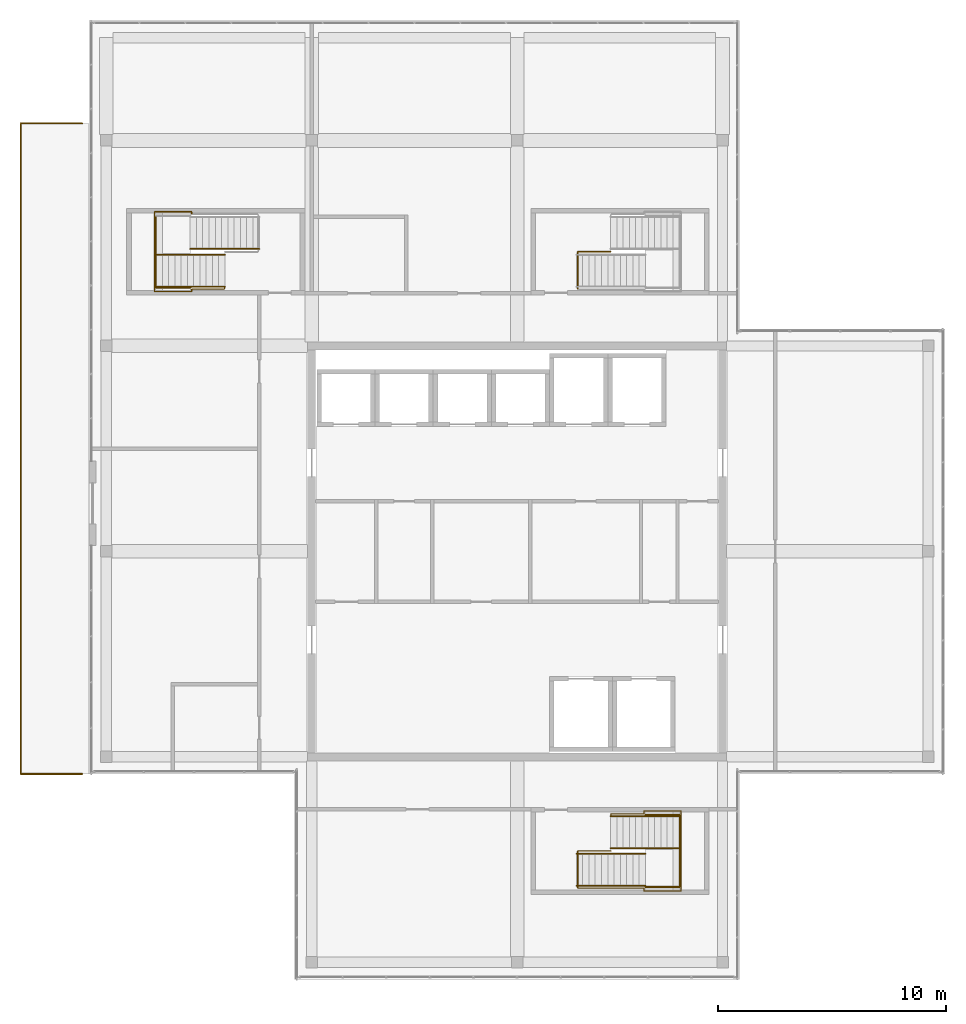
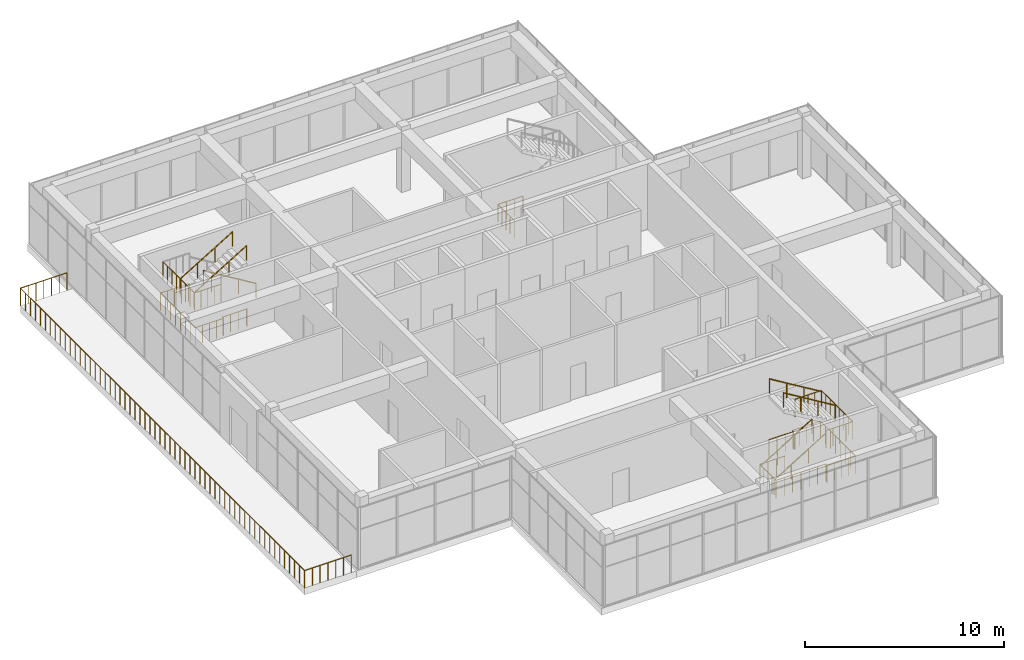
# One storey, part 33 of 34: 18 railings.
"""IFC4 building model written with IfcOpenShell, lengths in metres."""

from ifc_helpers import new_model, si_unit, direction, frame, origin, origin_2d, place, context, subcontext, project, spatial, circle, extrude, material, type_object, element, save


model = new_model("IFC4")

# Units and contexts
model_context = context("Model", 3, precision=1e-05, world=origin(), true_north=direction((0.0, 1.0)))
body_context = subcontext(model_context, "Body", "Model", "MODEL_VIEW")
ifc_project = project(units=[si_unit("LENGTHUNIT", "METRE"), si_unit("AREAUNIT", "SQUARE_METRE"), si_unit("VOLUMEUNIT", "CUBIC_METRE"), si_unit("PLANEANGLEUNIT", "RADIAN"), si_unit("MASSUNIT", "GRAM", prefix="KILO")], contexts=[model_context])

# Site, building, storey
site_placement = place(None, origin())
site = spatial("IfcSite", under=ifc_project, at=site_placement, CompositionType="ELEMENT")
building_placement = place(site_placement, origin())
building = spatial("IfcBuilding", under=site, at=building_placement, Name="Tuart Plaza Theatre", CompositionType="ELEMENT")
storey_placement = place(building_placement, frame((0.0, 0.0, 53.5)))
storey = spatial("IfcBuildingStorey", under=building, at=storey_placement, Name="L13", CompositionType="ELEMENT", Elevation=53.5)

# Railings
ifc_material_1 = material(Name="Steel Grade C350L0", Category="steel")
railing_type_1 = type_object("IfcRailingType", Name="RAILING Guard 1100", PredefinedType="GUARDRAIL", material=ifc_material_1)
railing_1_placement = place(storey_placement, frame((110.25, 64.25, 0.0)))
element("IfcRailing", 1, at=railing_1_placement, inside=storey, type_object=railing_type_1, Name="GR192", PredefinedType="GUARDRAIL", context=body_context, shape_type="SweptSolid", body=[
    extrude(circle(Radius=0.02490234375, at=origin_2d()), frame((0.0, 0.0, 1.0751953125), z_axis=(0.0, 1.0, 0.0), x_axis=(-1.0, 0.0, 0.0)), (0.0, 0.0, 1.0), 28.5),
    extrude(circle(Radius=0.02490234375, at=origin_2d()), frame((0.0, 28.5, 1.0751953125), z_axis=(1.0, 0.0, 0.0), x_axis=(0.0, 1.0, 0.0)), (0.0, 0.0, 1.0), 2.699951171875),
    extrude(circle(Radius=0.02001953125, at=origin_2d()), origin(), (0.0, 0.0, 1.0), 1.050048828125),
    extrude(circle(Radius=0.02001953125, at=origin_2d()), frame((0.0, 0.5, 0.0)), (0.0, 0.0, 1.0), 1.050048828125),
    extrude(circle(Radius=0.02001953125, at=origin_2d()), frame((0.0, 1.0, 0.0)), (0.0, 0.0, 1.0), 1.050048828125),
    extrude(circle(Radius=0.02001953125, at=origin_2d()), frame((0.0, 1.5, 0.0)), (0.0, 0.0, 1.0), 1.050048828125),
    extrude(circle(Radius=0.02001953125, at=origin_2d()), frame((0.0, 2.0, 0.0)), (0.0, 0.0, 1.0), 1.050048828125),
    extrude(circle(Radius=0.02001953125, at=origin_2d()), frame((0.0, 2.5, 0.0)), (0.0, 0.0, 1.0), 1.050048828125),
    extrude(circle(Radius=0.02001953125, at=origin_2d()), frame((0.0, 3.0, 0.0)), (0.0, 0.0, 1.0), 1.050048828125),
    extrude(circle(Radius=0.02001953125, at=origin_2d()), frame((0.0, 3.5, 0.0)), (0.0, 0.0, 1.0), 1.050048828125),
    extrude(circle(Radius=0.02001953125, at=origin_2d()), frame((0.0, 4.0, 0.0)), (0.0, 0.0, 1.0), 1.050048828125),
    extrude(circle(Radius=0.02001953125, at=origin_2d()), frame((0.0, 4.5, 0.0)), (0.0, 0.0, 1.0), 1.050048828125),
    extrude(circle(Radius=0.02001953125, at=origin_2d()), frame((0.0, 5.0, 0.0)), (0.0, 0.0, 1.0), 1.050048828125),
    extrude(circle(Radius=0.02001953125, at=origin_2d()), frame((0.0, 5.5, 0.0)), (0.0, 0.0, 1.0), 1.050048828125),
    extrude(circle(Radius=0.02001953125, at=origin_2d()), frame((0.0, 6.0, 0.0)), (0.0, 0.0, 1.0), 1.050048828125),
    extrude(circle(Radius=0.02001953125, at=origin_2d()), frame((0.0, 6.5, 0.0)), (0.0, 0.0, 1.0), 1.050048828125),
    extrude(circle(Radius=0.02001953125, at=origin_2d()), frame((0.0, 7.0, 0.0)), (0.0, 0.0, 1.0), 1.050048828125),
    extrude(circle(Radius=0.02001953125, at=origin_2d()), frame((0.0, 7.5, 0.0)), (0.0, 0.0, 1.0), 1.050048828125),
    extrude(circle(Radius=0.02001953125, at=origin_2d()), frame((0.0, 8.0, 0.0)), (0.0, 0.0, 1.0), 1.050048828125),
    extrude(circle(Radius=0.02001953125, at=origin_2d()), frame((0.0, 8.5, 0.0)), (0.0, 0.0, 1.0), 1.050048828125),
    extrude(circle(Radius=0.02001953125, at=origin_2d()), frame((0.0, 9.0, 0.0)), (0.0, 0.0, 1.0), 1.050048828125),
    extrude(circle(Radius=0.02001953125, at=origin_2d()), frame((0.0, 9.5, 0.0)), (0.0, 0.0, 1.0), 1.050048828125),
    extrude(circle(Radius=0.02001953125, at=origin_2d()), frame((0.0, 10.0, 0.0)), (0.0, 0.0, 1.0), 1.050048828125),
    extrude(circle(Radius=0.02001953125, at=origin_2d()), frame((0.0, 10.5, 0.0)), (0.0, 0.0, 1.0), 1.050048828125),
    extrude(circle(Radius=0.02001953125, at=origin_2d()), frame((0.0, 11.0, 0.0)), (0.0, 0.0, 1.0), 1.050048828125),
    extrude(circle(Radius=0.02001953125, at=origin_2d()), frame((0.0, 11.5, 0.0)), (0.0, 0.0, 1.0), 1.050048828125),
    extrude(circle(Radius=0.02001953125, at=origin_2d()), frame((0.0, 12.0, 0.0)), (0.0, 0.0, 1.0), 1.050048828125),
    extrude(circle(Radius=0.02001953125, at=origin_2d()), frame((0.0, 12.5, 0.0)), (0.0, 0.0, 1.0), 1.050048828125),
    extrude(circle(Radius=0.02001953125, at=origin_2d()), frame((0.0, 13.0, 0.0)), (0.0, 0.0, 1.0), 1.050048828125),
    extrude(circle(Radius=0.02001953125, at=origin_2d()), frame((0.0, 13.5, 0.0)), (0.0, 0.0, 1.0), 1.050048828125),
    extrude(circle(Radius=0.02001953125, at=origin_2d()), frame((0.0, 14.0, 0.0)), (0.0, 0.0, 1.0), 1.050048828125),
    extrude(circle(Radius=0.02001953125, at=origin_2d()), frame((0.0, 14.5, 0.0)), (0.0, 0.0, 1.0), 1.050048828125),
    extrude(circle(Radius=0.02001953125, at=origin_2d()), frame((0.0, 15.0, 0.0)), (0.0, 0.0, 1.0), 1.050048828125),
    extrude(circle(Radius=0.02001953125, at=origin_2d()), frame((0.0, 15.5, 0.0)), (0.0, 0.0, 1.0), 1.050048828125),
    extrude(circle(Radius=0.02001953125, at=origin_2d()), frame((0.0, 16.0, 0.0)), (0.0, 0.0, 1.0), 1.050048828125),
    extrude(circle(Radius=0.02001953125, at=origin_2d()), frame((0.0, 16.5, 0.0)), (0.0, 0.0, 1.0), 1.050048828125),
    extrude(circle(Radius=0.02001953125, at=origin_2d()), frame((0.0, 17.0, 0.0)), (0.0, 0.0, 1.0), 1.050048828125),
    extrude(circle(Radius=0.02001953125, at=origin_2d()), frame((0.0, 17.5, 0.0)), (0.0, 0.0, 1.0), 1.050048828125),
    extrude(circle(Radius=0.02001953125, at=origin_2d()), frame((0.0, 18.0, 0.0)), (0.0, 0.0, 1.0), 1.050048828125),
    extrude(circle(Radius=0.02001953125, at=origin_2d()), frame((0.0, 18.5, 0.0)), (0.0, 0.0, 1.0), 1.050048828125),
    extrude(circle(Radius=0.02001953125, at=origin_2d()), frame((0.0, 19.0, 0.0)), (0.0, 0.0, 1.0), 1.050048828125),
    extrude(circle(Radius=0.02001953125, at=origin_2d()), frame((0.0, 19.5, 0.0)), (0.0, 0.0, 1.0), 1.050048828125),
    extrude(circle(Radius=0.02001953125, at=origin_2d()), frame((0.0, 20.0, 0.0)), (0.0, 0.0, 1.0), 1.050048828125),
    extrude(circle(Radius=0.02001953125, at=origin_2d()), frame((0.0, 20.5, 0.0)), (0.0, 0.0, 1.0), 1.050048828125),
    extrude(circle(Radius=0.02001953125, at=origin_2d()), frame((0.0, 21.0, 0.0)), (0.0, 0.0, 1.0), 1.050048828125),
    extrude(circle(Radius=0.02001953125, at=origin_2d()), frame((0.0, 21.5, 0.0)), (0.0, 0.0, 1.0), 1.050048828125),
    extrude(circle(Radius=0.02001953125, at=origin_2d()), frame((0.0, 22.0, 0.0)), (0.0, 0.0, 1.0), 1.050048828125),
    extrude(circle(Radius=0.02001953125, at=origin_2d()), frame((0.0, 22.5, 0.0)), (0.0, 0.0, 1.0), 1.050048828125),
    extrude(circle(Radius=0.02001953125, at=origin_2d()), frame((0.0, 23.0, 0.0)), (0.0, 0.0, 1.0), 1.050048828125),
    extrude(circle(Radius=0.02001953125, at=origin_2d()), frame((0.0, 23.5, 0.0)), (0.0, 0.0, 1.0), 1.050048828125),
    extrude(circle(Radius=0.02001953125, at=origin_2d()), frame((0.0, 24.0, 0.0)), (0.0, 0.0, 1.0), 1.050048828125),
    extrude(circle(Radius=0.02001953125, at=origin_2d()), frame((0.0, 24.5, 0.0)), (0.0, 0.0, 1.0), 1.050048828125),
    extrude(circle(Radius=0.02001953125, at=origin_2d()), frame((0.0, 25.0, 0.0)), (0.0, 0.0, 1.0), 1.050048828125),
    extrude(circle(Radius=0.02001953125, at=origin_2d()), frame((0.0, 25.5, 0.0)), (0.0, 0.0, 1.0), 1.050048828125),
    extrude(circle(Radius=0.02001953125, at=origin_2d()), frame((0.0, 26.0, 0.0)), (0.0, 0.0, 1.0), 1.050048828125),
    extrude(circle(Radius=0.02001953125, at=origin_2d()), frame((0.0, 26.5, 0.0)), (0.0, 0.0, 1.0), 1.050048828125),
    extrude(circle(Radius=0.02001953125, at=origin_2d()), frame((0.0, 27.0, 0.0)), (0.0, 0.0, 1.0), 1.050048828125),
    extrude(circle(Radius=0.02001953125, at=origin_2d()), frame((0.0, 27.5, 0.0)), (0.0, 0.0, 1.0), 1.050048828125),
    extrude(circle(Radius=0.02001953125, at=origin_2d()), frame((0.0, 28.0, 0.0)), (0.0, 0.0, 1.0), 1.050048828125),
    extrude(circle(Radius=0.02001953125, at=origin_2d()), frame((0.0, 28.5, 0.0)), (0.0, 0.0, 1.0), 1.050048828125),
    extrude(circle(Radius=0.02001953125, at=origin_2d()), frame((0.449951171875, 28.5, 0.0)), (0.0, 0.0, 1.0), 1.050048828125),
    extrude(circle(Radius=0.02001953125, at=origin_2d()), frame((0.89990234375, 28.5, 0.0)), (0.0, 0.0, 1.0), 1.050048828125),
    extrude(circle(Radius=0.02001953125, at=origin_2d()), frame((1.35009765625, 28.5, 0.0)), (0.0, 0.0, 1.0), 1.050048828125),
    extrude(circle(Radius=0.02001953125, at=origin_2d()), frame((1.800048828125, 28.5, 0.0)), (0.0, 0.0, 1.0), 1.050048828125),
    extrude(circle(Radius=0.02001953125, at=origin_2d()), frame((2.25, 28.5, 0.0)), (0.0, 0.0, 1.0), 1.050048828125),
    extrude(circle(Radius=0.02001953125, at=origin_2d()), frame((2.699951171875, 28.5, 0.0)), (0.0, 0.0, 1.0), 1.050048828125),
])
railing_2_placement = place(storey_placement, frame((112.949951171875, 64.25, 0.0)))
element("IfcRailing", 2, at=railing_2_placement, inside=storey, type_object=railing_type_1, Name="GR193", PredefinedType="GUARDRAIL", context=body_context, shape_type="SweptSolid", body=[
    extrude(circle(Radius=0.02490234375, at=origin_2d()), frame((0.0, 0.0, 1.0751953125), z_axis=(-1.0, 0.0, 0.0), x_axis=(0.0, -1.0, 0.0)), (0.0, 0.0, 1.0), 2.699951171875),
    extrude(circle(Radius=0.02001953125, at=origin_2d()), origin(), (0.0, 0.0, 1.0), 1.050048828125),
    extrude(circle(Radius=0.02001953125, at=origin_2d()), frame((-0.449951171875, 0.0, 0.0)), (0.0, 0.0, 1.0), 1.050048828125),
    extrude(circle(Radius=0.02001953125, at=origin_2d()), frame((-0.89990234375, 0.0, 0.0)), (0.0, 0.0, 1.0), 1.050048828125),
    extrude(circle(Radius=0.02001953125, at=origin_2d()), frame((-1.35009765625, 0.0, 0.0)), (0.0, 0.0, 1.0), 1.050048828125),
    extrude(circle(Radius=0.02001953125, at=origin_2d()), frame((-1.800048828125, 0.0, 0.0)), (0.0, 0.0, 1.0), 1.050048828125),
    extrude(circle(Radius=0.02001953125, at=origin_2d()), frame((-2.25, 0.0, 0.0)), (0.0, 0.0, 1.0), 1.050048828125),
    extrude(circle(Radius=0.02001953125, at=origin_2d()), frame((-2.699951171875, 0.0, 0.0)), (0.0, 0.0, 1.0), 1.050048828125),
])
railing_3_placement = place(storey_placement, frame((134.655029296875, 59.25, 0.0)))
element("IfcRailing", 3, at=railing_3_placement, inside=storey, type_object=railing_type_1, Name="GR259", PredefinedType="GUARDRAIL", context=body_context, shape_type="SweptSolid", body=[
    extrude(circle(Radius=0.02490234375, at=origin_2d()), frame((0.0, 0.0, 1.0751953125), z_axis=(0.0, 1.0, 0.0), x_axis=(-1.0, 0.0, 0.0)), (0.0, 0.0, 1.0), 1.625),
    extrude(circle(Radius=0.02490234375, at=origin_2d()), frame((0.0, 1.625, 1.0751953125), z_axis=(1.0, 0.0, 0.0), x_axis=(0.0, 1.0, 0.0)), (0.0, 0.0, 1.0), 1.455078125),
    extrude(circle(Radius=0.02001953125, at=origin_2d()), origin(), (0.0, 0.0, 1.0), 1.050048828125),
    extrude(circle(Radius=0.02001953125, at=origin_2d()), frame((0.0, 0.40625, 0.0)), (0.0, 0.0, 1.0), 1.050048828125),
    extrude(circle(Radius=0.02001953125, at=origin_2d()), frame((0.0, 0.8125, 0.0)), (0.0, 0.0, 1.0), 1.050048828125),
    extrude(circle(Radius=0.02001953125, at=origin_2d()), frame((0.0, 1.21875, 0.0)), (0.0, 0.0, 1.0), 1.050048828125),
    extrude(circle(Radius=0.02001953125, at=origin_2d()), frame((0.0, 1.625, 0.0)), (0.0, 0.0, 1.0), 1.050048828125),
    extrude(circle(Radius=0.02001953125, at=origin_2d()), frame((0.485107421875, 1.625, 0.0)), (0.0, 0.0, 1.0), 1.050048828125),
    extrude(circle(Radius=0.02001953125, at=origin_2d()), frame((0.969970703125, 1.625, 0.0)), (0.0, 0.0, 1.0), 1.050048828125),
    extrude(circle(Radius=0.02001953125, at=origin_2d()), frame((1.455078125, 1.625, 0.0)), (0.0, 0.0, 1.0), 1.050048828125),
])
railing_4_placement = place(storey_placement, frame((136.114990234375, 62.455078125, 0.0)))
element("IfcRailing", 4, at=railing_4_placement, inside=storey, type_object=railing_type_1, Name="GR260", PredefinedType="GUARDRAIL", context=body_context, shape_type="SweptSolid", body=[
    extrude(circle(Radius=0.02490234375, at=origin_2d()), frame((0.0, 0.0, 1.0751953125), z_axis=(0.0, 1.0, 0.0), x_axis=(-1.0, 0.0, 0.0)), (0.0, 0.0, 1.0), 0.044921875),
    extrude(circle(Radius=0.02490234375, at=origin_2d()), frame((0.0, 0.044921875, 1.0751953125), z_axis=(1.0, 0.0, 0.0), x_axis=(0.0, 1.0, 0.0)), (0.0, 0.0, 1.0), 1.43505859375),
    extrude(circle(Radius=0.02490234375, at=origin_2d()), frame((1.43505859375, 0.044921875, 1.0751953125), z_axis=(0.0, 1.0, 0.0), x_axis=(-1.0, 0.0, 0.0)), (0.0, 0.0, 1.0), 0.123046875),
    extrude(circle(Radius=0.02490234375, at=origin_2d()), frame((1.43505859375, 0.16796875, 1.0751953125), z_axis=(1.0, 0.0, 0.0), x_axis=(0.0, 1.0, 0.0)), (0.0, 0.0, 1.0), 1.6298828125),
    extrude(circle(Radius=0.02490234375, at=origin_2d()), frame((3.06494140625, 0.16796875, 1.0751953125), z_axis=(0.0, -1.0, 0.0), x_axis=(1.0, 0.0, 0.0)), (0.0, 0.0, 1.0), 3.49609375),
    extrude(circle(Radius=0.02490234375, at=origin_2d()), frame((3.06494140625, -3.328125, 1.0751953125), z_axis=(-1.0, 0.0, 0.0), x_axis=(0.0, -1.0, 0.0)), (0.0, 0.0, 1.0), 1.6298828125),
    extrude(circle(Radius=0.02490234375, at=origin_2d()), frame((1.43505859375, -3.328125, 1.0751953125), z_axis=(0.0, 1.0, 0.0), x_axis=(-1.0, 0.0, 0.0)), (0.0, 0.0, 1.0), 0.123046875),
    extrude(circle(Radius=0.02490234375, at=origin_2d()), frame((1.43505859375, -3.205078125, 1.0751953125), z_axis=(-1.0, 0.0, 0.0), x_axis=(0.0, -1.0, 0.0)), (0.0, 0.0, 1.0), 2.89501953125),
    extrude(circle(Radius=0.02001953125, at=origin_2d()), origin(), (0.0, 0.0, 1.0), 1.050048828125),
    extrude(circle(Radius=0.02001953125, at=origin_2d()), frame((0.0, 0.044921875, 0.0)), (0.0, 0.0, 1.0), 1.050048828125),
    extrude(circle(Radius=0.02001953125, at=origin_2d()), frame((0.478271484375, 0.044921875, 0.0)), (0.0, 0.0, 1.0), 1.050048828125),
    extrude(circle(Radius=0.02001953125, at=origin_2d()), frame((0.956787109375, 0.044921875, 0.0)), (0.0, 0.0, 1.0), 1.050048828125),
    extrude(circle(Radius=0.02001953125, at=origin_2d()), frame((1.43505859375, 0.044921875, 0.0)), (0.0, 0.0, 1.0), 1.050048828125),
    extrude(circle(Radius=0.02001953125, at=origin_2d()), frame((1.43505859375, 0.16796875, 0.0)), (0.0, 0.0, 1.0), 1.050048828125),
    extrude(circle(Radius=0.02001953125, at=origin_2d()), frame((1.842529296875, 0.16796875, 0.0)), (0.0, 0.0, 1.0), 1.050048828125),
    extrude(circle(Radius=0.02001953125, at=origin_2d()), frame((2.25, 0.16796875, 0.0)), (0.0, 0.0, 1.0), 1.050048828125),
    extrude(circle(Radius=0.02001953125, at=origin_2d()), frame((2.657470703125, 0.16796875, 0.0)), (0.0, 0.0, 1.0), 1.050048828125),
    extrude(circle(Radius=0.02001953125, at=origin_2d()), frame((3.06494140625, 0.16796875, 0.0)), (0.0, 0.0, 1.0), 1.050048828125),
    extrude(circle(Radius=0.02001953125, at=origin_2d()), frame((3.06494140625, -0.33154296875, 0.0)), (0.0, 0.0, 1.0), 1.050048828125),
    extrude(circle(Radius=0.02001953125, at=origin_2d()), frame((3.06494140625, -0.830810546875, 0.0)), (0.0, 0.0, 1.0), 1.050048828125),
    extrude(circle(Radius=0.02001953125, at=origin_2d()), frame((3.06494140625, -1.330322265625, 0.0)), (0.0, 0.0, 1.0), 1.050048828125),
    extrude(circle(Radius=0.02001953125, at=origin_2d()), frame((3.06494140625, -1.829833984375, 0.0)), (0.0, 0.0, 1.0), 1.050048828125),
    extrude(circle(Radius=0.02001953125, at=origin_2d()), frame((3.06494140625, -2.329345703125, 0.0)), (0.0, 0.0, 1.0), 1.050048828125),
    extrude(circle(Radius=0.02001953125, at=origin_2d()), frame((3.06494140625, -2.82861328125, 0.0)), (0.0, 0.0, 1.0), 1.050048828125),
    extrude(circle(Radius=0.02001953125, at=origin_2d()), frame((3.06494140625, -3.328125, 0.0)), (0.0, 0.0, 1.0), 1.050048828125),
    extrude(circle(Radius=0.02001953125, at=origin_2d()), frame((2.657470703125, -3.328125, 0.0)), (0.0, 0.0, 1.0), 1.050048828125),
    extrude(circle(Radius=0.02001953125, at=origin_2d()), frame((2.25, -3.328125, 0.0)), (0.0, 0.0, 1.0), 1.050048828125),
    extrude(circle(Radius=0.02001953125, at=origin_2d()), frame((1.842529296875, -3.328125, 0.0)), (0.0, 0.0, 1.0), 1.050048828125),
    extrude(circle(Radius=0.02001953125, at=origin_2d()), frame((1.43505859375, -3.328125, 0.0)), (0.0, 0.0, 1.0), 1.050048828125),
    extrude(circle(Radius=0.02001953125, at=origin_2d()), frame((1.43505859375, -3.205078125, 0.0)), (0.0, 0.0, 1.0), 1.050048828125),
    extrude(circle(Radius=0.02001953125, at=origin_2d()), frame((0.95263671875, -3.205078125, 0.0)), (0.0, 0.0, 1.0), 1.050048828125),
    extrude(circle(Radius=0.02001953125, at=origin_2d()), frame((0.469970703125, -3.205078125, 0.0)), (0.0, 0.0, 1.0), 1.050048828125),
    extrude(circle(Radius=0.02001953125, at=origin_2d()), frame((-0.012451171875, -3.205078125, 0.0)), (0.0, 0.0, 1.0), 1.050048828125),
    extrude(circle(Radius=0.02001953125, at=origin_2d()), frame((-0.494873046875, -3.205078125, 0.0)), (0.0, 0.0, 1.0), 1.050048828125),
    extrude(circle(Radius=0.02001953125, at=origin_2d()), frame((-0.9775390625, -3.205078125, 0.0)), (0.0, 0.0, 1.0), 1.050048828125),
    extrude(circle(Radius=0.02001953125, at=origin_2d()), frame((-1.4599609375, -3.205078125, 0.0)), (0.0, 0.0, 1.0), 1.050048828125),
])
railing_5_placement = place(storey_placement, frame((137.60009765625, 59.300048828125, 2.0)))
element("IfcRailing", 5, at=railing_5_placement, inside=storey, type_object=railing_type_1, Name="GR266", PredefinedType="GUARDRAIL", context=body_context, shape_type="SweptSolid", body=[
    extrude(circle(Radius=0.02490234375, at=origin_2d()), frame((0.0, 0.0, 1.0751953125), z_axis=(1.0, 0.0, 0.0), x_axis=(0.0, 1.0, 0.0)), (0.0, 0.0, 1.0), 1.52978515625),
    extrude(circle(Radius=0.02001953125, at=origin_2d()), origin(), (0.0, 0.0, 1.0), 1.050048828125),
    extrude(circle(Radius=0.02001953125, at=origin_2d()), frame((0.38232421875, 0.0, 0.0)), (0.0, 0.0, 1.0), 1.050048828125),
    extrude(circle(Radius=0.02001953125, at=origin_2d()), frame((0.764892578125, 0.0, 0.0)), (0.0, 0.0, 1.0), 1.050048828125),
    extrude(circle(Radius=0.02001953125, at=origin_2d()), frame((1.1474609375, 0.0, 0.0)), (0.0, 0.0, 1.0), 1.050048828125),
    extrude(circle(Radius=0.02001953125, at=origin_2d()), frame((1.52978515625, 0.0, 0.0)), (0.0, 0.0, 1.0), 1.050048828125),
])
railing_6_placement = place(storey_placement, frame((139.1298828125, 59.300048828125, 2.0)))
element("IfcRailing", 6, at=railing_6_placement, inside=storey, type_object=railing_type_1, Name="GR267", PredefinedType="GUARDRAIL", context=body_context, shape_type="SweptSolid", body=[
    extrude(circle(Radius=0.02490234375, at=origin_2d()), frame((0.0, 0.0, 1.0751953125), z_axis=(0.0, 1.0, 0.0), x_axis=(-1.0, 0.0, 0.0)), (0.0, 0.0, 1.0), 3.14990234375),
    extrude(circle(Radius=0.02001953125, at=origin_2d()), origin(), (0.0, 0.0, 1.0), 1.050048828125),
    extrude(circle(Radius=0.02001953125, at=origin_2d()), frame((0.0, 0.449951171875, 0.0)), (0.0, 0.0, 1.0), 1.050048828125),
    extrude(circle(Radius=0.02001953125, at=origin_2d()), frame((0.0, 0.89990234375, 0.0)), (0.0, 0.0, 1.0), 1.050048828125),
    extrude(circle(Radius=0.02001953125, at=origin_2d()), frame((0.0, 1.349853515625, 0.0)), (0.0, 0.0, 1.0), 1.050048828125),
    extrude(circle(Radius=0.02001953125, at=origin_2d()), frame((0.0, 1.800048828125, 0.0)), (0.0, 0.0, 1.0), 1.050048828125),
    extrude(circle(Radius=0.02001953125, at=origin_2d()), frame((0.0, 2.25, 0.0)), (0.0, 0.0, 1.0), 1.050048828125),
    extrude(circle(Radius=0.02001953125, at=origin_2d()), frame((0.0, 2.699951171875, 0.0)), (0.0, 0.0, 1.0), 1.050048828125),
    extrude(circle(Radius=0.02001953125, at=origin_2d()), frame((0.0, 3.14990234375, 0.0)), (0.0, 0.0, 1.0), 1.050048828125),
])
railing_7_placement = place(storey_placement, frame((139.1298828125, 62.449951171875, 2.0)))
element("IfcRailing", 7, at=railing_7_placement, inside=storey, type_object=railing_type_1, Name="GR268", PredefinedType="GUARDRAIL", context=body_context, shape_type="SweptSolid", body=[
    extrude(circle(Radius=0.02490234375, at=origin_2d()), frame((0.0, 0.0, 1.0751953125), z_axis=(-1.0, 0.0, 0.0), x_axis=(0.0, -1.0, 0.0)), (0.0, 0.0, 1.0), 1.52978515625),
    extrude(circle(Radius=0.02001953125, at=origin_2d()), origin(), (0.0, 0.0, 1.0), 1.050048828125),
    extrude(circle(Radius=0.02001953125, at=origin_2d()), frame((-0.38232421875, 0.0, 0.0)), (0.0, 0.0, 1.0), 1.050048828125),
    extrude(circle(Radius=0.02001953125, at=origin_2d()), frame((-0.764892578125, 0.0, 0.0)), (0.0, 0.0, 1.0), 1.050048828125),
    extrude(circle(Radius=0.02001953125, at=origin_2d()), frame((-1.1474609375, 0.0, 0.0)), (0.0, 0.0, 1.0), 1.050048828125),
    extrude(circle(Radius=0.02001953125, at=origin_2d()), frame((-1.52978515625, 0.0, 0.0)), (0.0, 0.0, 1.0), 1.050048828125),
])
railing_8_placement = place(storey_placement, frame((134.655029296875, 85.5, 0.0)))
element("IfcRailing", 8, at=railing_8_placement, inside=storey, type_object=railing_type_1, Name="GR338", PredefinedType="GUARDRAIL", context=body_context, shape_type="SweptSolid", body=[
    extrude(circle(Radius=0.02490234375, at=origin_2d()), frame((0.0, 0.0, 1.0751953125), z_axis=(0.0, 1.0, 0.0), x_axis=(-1.0, 0.0, 0.0)), (0.0, 0.0, 1.0), 1.625),
    extrude(circle(Radius=0.02490234375, at=origin_2d()), frame((0.0, 1.625, 1.0751953125), z_axis=(1.0, 0.0, 0.0), x_axis=(0.0, 1.0, 0.0)), (0.0, 0.0, 1.0), 1.455078125),
    extrude(circle(Radius=0.02001953125, at=origin_2d()), origin(), (0.0, 0.0, 1.0), 1.050048828125),
    extrude(circle(Radius=0.02001953125, at=origin_2d()), frame((0.0, 0.40625, 0.0)), (0.0, 0.0, 1.0), 1.050048828125),
    extrude(circle(Radius=0.02001953125, at=origin_2d()), frame((0.0, 0.8125, 0.0)), (0.0, 0.0, 1.0), 1.050048828125),
    extrude(circle(Radius=0.02001953125, at=origin_2d()), frame((0.0, 1.21875, 0.0)), (0.0, 0.0, 1.0), 1.050048828125),
    extrude(circle(Radius=0.02001953125, at=origin_2d()), frame((0.0, 1.625, 0.0)), (0.0, 0.0, 1.0), 1.050048828125),
    extrude(circle(Radius=0.02001953125, at=origin_2d()), frame((0.485107421875, 1.625, 0.0)), (0.0, 0.0, 1.0), 1.050048828125),
    extrude(circle(Radius=0.02001953125, at=origin_2d()), frame((0.969970703125, 1.625, 0.0)), (0.0, 0.0, 1.0), 1.050048828125),
    extrude(circle(Radius=0.02001953125, at=origin_2d()), frame((1.455078125, 1.625, 0.0)), (0.0, 0.0, 1.0), 1.050048828125),
])
railing_9_placement = place(storey_placement, frame((119.18505859375, 85.544921875, 0.0)))
element("IfcRailing", 9, at=railing_9_placement, inside=storey, type_object=railing_type_1, Name="GR418", PredefinedType="GUARDRAIL", context=body_context, shape_type="SweptSolid", body=[
    extrude(circle(Radius=0.02490234375, at=origin_2d()), frame((0.0, 0.0, 1.0751953125), z_axis=(0.0, -1.0, 0.0), x_axis=(1.0, 0.0, 0.0)), (0.0, 0.0, 1.0), 0.044921875),
    extrude(circle(Radius=0.02490234375, at=origin_2d()), frame((0.0, -0.044921875, 1.0751953125), z_axis=(-1.0, 0.0, 0.0), x_axis=(0.0, -1.0, 0.0)), (0.0, 0.0, 1.0), 1.43505859375),
    extrude(circle(Radius=0.02490234375, at=origin_2d()), frame((-1.43505859375, -0.044921875, 1.0751953125), z_axis=(0.0, -1.0, 0.0), x_axis=(1.0, 0.0, 0.0)), (0.0, 0.0, 1.0), 0.123046875),
    extrude(circle(Radius=0.02490234375, at=origin_2d()), frame((-1.43505859375, -0.16796875, 1.0751953125), z_axis=(-1.0, 0.0, 0.0), x_axis=(0.0, -1.0, 0.0)), (0.0, 0.0, 1.0), 1.6298828125),
    extrude(circle(Radius=0.02490234375, at=origin_2d()), frame((-3.06494140625, -0.16796875, 1.0751953125), z_axis=(0.0, 1.0, 0.0), x_axis=(-1.0, 0.0, 0.0)), (0.0, 0.0, 1.0), 3.49609375),
    extrude(circle(Radius=0.02490234375, at=origin_2d()), frame((-3.06494140625, 3.328125, 1.0751953125), z_axis=(1.0, 0.0, 0.0), x_axis=(0.0, 1.0, 0.0)), (0.0, 0.0, 1.0), 1.6298828125),
    extrude(circle(Radius=0.02490234375, at=origin_2d()), frame((-1.43505859375, 3.328125, 1.0751953125), z_axis=(0.0, -1.0, 0.0), x_axis=(1.0, 0.0, 0.0)), (0.0, 0.0, 1.0), 0.123046875),
    extrude(circle(Radius=0.02001953125, at=origin_2d()), origin(), (0.0, 0.0, 1.0), 1.050048828125),
    extrude(circle(Radius=0.02001953125, at=origin_2d()), frame((0.0, -0.044921875, 0.0)), (0.0, 0.0, 1.0), 1.050048828125),
    extrude(circle(Radius=0.02001953125, at=origin_2d()), frame((-0.478271484375, -0.044921875, 0.0)), (0.0, 0.0, 1.0), 1.050048828125),
    extrude(circle(Radius=0.02001953125, at=origin_2d()), frame((-0.956787109375, -0.044921875, 0.0)), (0.0, 0.0, 1.0), 1.050048828125),
    extrude(circle(Radius=0.02001953125, at=origin_2d()), frame((-1.43505859375, -0.044921875, 0.0)), (0.0, 0.0, 1.0), 1.050048828125),
    extrude(circle(Radius=0.02001953125, at=origin_2d()), frame((-1.43505859375, -0.16796875, 0.0)), (0.0, 0.0, 1.0), 1.050048828125),
    extrude(circle(Radius=0.02001953125, at=origin_2d()), frame((-1.842529296875, -0.16796875, 0.0)), (0.0, 0.0, 1.0), 1.050048828125),
    extrude(circle(Radius=0.02001953125, at=origin_2d()), frame((-2.25, -0.16796875, 0.0)), (0.0, 0.0, 1.0), 1.050048828125),
    extrude(circle(Radius=0.02001953125, at=origin_2d()), frame((-2.657470703125, -0.16796875, 0.0)), (0.0, 0.0, 1.0), 1.050048828125),
    extrude(circle(Radius=0.02001953125, at=origin_2d()), frame((-3.06494140625, -0.16796875, 0.0)), (0.0, 0.0, 1.0), 1.050048828125),
    extrude(circle(Radius=0.02001953125, at=origin_2d()), frame((-3.06494140625, 0.33154296875, 0.0)), (0.0, 0.0, 1.0), 1.050048828125),
    extrude(circle(Radius=0.02001953125, at=origin_2d()), frame((-3.06494140625, 0.830810546875, 0.0)), (0.0, 0.0, 1.0), 1.050048828125),
    extrude(circle(Radius=0.02001953125, at=origin_2d()), frame((-3.06494140625, 1.330322265625, 0.0)), (0.0, 0.0, 1.0), 1.050048828125),
    extrude(circle(Radius=0.02001953125, at=origin_2d()), frame((-3.06494140625, 1.829833984375, 0.0)), (0.0, 0.0, 1.0), 1.050048828125),
    extrude(circle(Radius=0.02001953125, at=origin_2d()), frame((-3.06494140625, 2.329345703125, 0.0)), (0.0, 0.0, 1.0), 1.050048828125),
    extrude(circle(Radius=0.02001953125, at=origin_2d()), frame((-3.06494140625, 2.82861328125, 0.0)), (0.0, 0.0, 1.0), 1.050048828125),
    extrude(circle(Radius=0.02001953125, at=origin_2d()), frame((-3.06494140625, 3.328125, 0.0)), (0.0, 0.0, 1.0), 1.050048828125),
    extrude(circle(Radius=0.02001953125, at=origin_2d()), frame((-2.657470703125, 3.328125, 0.0)), (0.0, 0.0, 1.0), 1.050048828125),
    extrude(circle(Radius=0.02001953125, at=origin_2d()), frame((-2.25, 3.328125, 0.0)), (0.0, 0.0, 1.0), 1.050048828125),
    extrude(circle(Radius=0.02001953125, at=origin_2d()), frame((-1.842529296875, 3.328125, 0.0)), (0.0, 0.0, 1.0), 1.050048828125),
    extrude(circle(Radius=0.02001953125, at=origin_2d()), frame((-1.43505859375, 3.328125, 0.0)), (0.0, 0.0, 1.0), 1.050048828125),
    extrude(circle(Radius=0.02001953125, at=origin_2d()), frame((-1.43505859375, 3.205078125, 0.0)), (0.0, 0.0, 1.0), 1.050048828125),
])
railing_10_placement = place(storey_placement, frame((116.169921875, 88.699951171875, 2.0)))
element("IfcRailing", 10, at=railing_10_placement, inside=storey, type_object=railing_type_1, Name="GR425", PredefinedType="GUARDRAIL", context=body_context, shape_type="SweptSolid", body=[
    extrude(circle(Radius=0.02490234375, at=origin_2d()), frame((0.0, 0.0, 1.0751953125), z_axis=(0.0, -1.0, 0.0), x_axis=(1.0, 0.0, 0.0)), (0.0, 0.0, 1.0), 3.14990234375),
    extrude(circle(Radius=0.02001953125, at=origin_2d()), origin(), (0.0, 0.0, 1.0), 1.050048828125),
    extrude(circle(Radius=0.02001953125, at=origin_2d()), frame((0.0, -0.449951171875, 0.0)), (0.0, 0.0, 1.0), 1.050048828125),
    extrude(circle(Radius=0.02001953125, at=origin_2d()), frame((0.0, -0.89990234375, 0.0)), (0.0, 0.0, 1.0), 1.050048828125),
    extrude(circle(Radius=0.02001953125, at=origin_2d()), frame((0.0, -1.349853515625, 0.0)), (0.0, 0.0, 1.0), 1.050048828125),
    extrude(circle(Radius=0.02001953125, at=origin_2d()), frame((0.0, -1.800048828125, 0.0)), (0.0, 0.0, 1.0), 1.050048828125),
    extrude(circle(Radius=0.02001953125, at=origin_2d()), frame((0.0, -2.25, 0.0)), (0.0, 0.0, 1.0), 1.050048828125),
    extrude(circle(Radius=0.02001953125, at=origin_2d()), frame((0.0, -2.699951171875, 0.0)), (0.0, 0.0, 1.0), 1.050048828125),
    extrude(circle(Radius=0.02001953125, at=origin_2d()), frame((0.0, -3.14990234375, 0.0)), (0.0, 0.0, 1.0), 1.050048828125),
])
railing_11_placement = place(storey_placement, frame((116.169921875, 85.550048828125, 2.0)))
element("IfcRailing", 11, at=railing_11_placement, inside=storey, type_object=railing_type_1, Name="GR426", PredefinedType="GUARDRAIL", context=body_context, shape_type="SweptSolid", body=[
    extrude(circle(Radius=0.02490234375, at=origin_2d()), frame((0.0, 0.0, 1.0751953125), z_axis=(1.0, 0.0, 0.0), x_axis=(0.0, 1.0, 0.0)), (0.0, 0.0, 1.0), 1.530029296875),
    extrude(circle(Radius=0.02001953125, at=origin_2d()), origin(), (0.0, 0.0, 1.0), 1.050048828125),
    extrude(circle(Radius=0.02001953125, at=origin_2d()), frame((0.382568359375, 0.0, 0.0)), (0.0, 0.0, 1.0), 1.050048828125),
    extrude(circle(Radius=0.02001953125, at=origin_2d()), frame((0.76513671875, 0.0, 0.0)), (0.0, 0.0, 1.0), 1.050048828125),
    extrude(circle(Radius=0.02001953125, at=origin_2d()), frame((1.1474609375, 0.0, 0.0)), (0.0, 0.0, 1.0), 1.050048828125),
    extrude(circle(Radius=0.02001953125, at=origin_2d()), frame((1.530029296875, 0.0, 0.0)), (0.0, 0.0, 1.0), 1.050048828125),
])
ifc_material_2 = material(Name="Steel Grade C350L0", Category="steel")
railing_type_2 = type_object("IfcRailingType", Name="RAILING Handrail 900", PredefinedType="HANDRAIL", material=ifc_material_2)
for number, where, name in (
    (12, (134.594970703125, 60.75, 0.166748046875), "HR167"),
    (13, (134.594970703125, 59.35009765625, 0.166748046875), "HR168"),
):
    element("IfcRailing", number, at=place(storey_placement, frame(where)), inside=storey, type_object=railing_type_2, Name=name, PredefinedType="HANDRAIL", context=body_context, shape_type="SweptSolid", body=[
        extrude(circle(Radius=0.0224609375, at=origin_2d()), frame((0.0, 0.0, 0.87744140625), z_axis=(0.855219153138, 0.0, 0.518266533848), x_axis=(0.0, 1.0, 0.0)), (0.0, 0.0, 1.0), 3.537353515625),
        extrude(circle(Radius=0.01513671875, at=origin_2d()), origin(), (0.0, 0.0, 1.0), 0.85498046875),
        extrude(circle(Radius=0.01513671875, at=origin_2d()), frame((1.00830078125, 0.0, 0.611083984375)), (0.0, 0.0, 1.0), 0.85498046875),
        extrude(circle(Radius=0.01513671875, at=origin_2d()), frame((2.016845703125, 0.0, 1.22216796875)), (0.0, 0.0, 1.0), 0.85498046875),
        extrude(circle(Radius=0.01513671875, at=origin_2d()), frame((3.025146484375, 0.0, 1.833251953125)), (0.0, 0.0, 1.0), 0.85498046875),
    ])
for number, where, name in (
    (14, (139.1201171875, 61.0, 2.166748046875), "HR169"),
    (15, (139.1201171875, 62.39990234375, 2.166748046875), "HR170"),
    (16, (120.705078125, 87.25, 0.166748046875), "HR295"),
):
    element("IfcRailing", number, at=place(storey_placement, frame(where)), inside=storey, type_object=railing_type_2, Name=name, PredefinedType="HANDRAIL", context=body_context, shape_type="SweptSolid", body=[
        extrude(circle(Radius=0.0224609375, at=origin_2d()), frame((0.0, 0.0, 0.87744140625), z_axis=(-0.855219153138, 0.0, 0.518266533848), x_axis=(0.0, -1.0, 0.0)), (0.0, 0.0, 1.0), 3.537353515625),
        extrude(circle(Radius=0.01513671875, at=origin_2d()), origin(), (0.0, 0.0, 1.0), 0.85498046875),
        extrude(circle(Radius=0.01513671875, at=origin_2d()), frame((-1.00830078125, 0.0, 0.611083984375)), (0.0, 0.0, 1.0), 0.85498046875),
        extrude(circle(Radius=0.01513671875, at=origin_2d()), frame((-2.016845703125, 0.0, 1.22216796875)), (0.0, 0.0, 1.0), 0.85498046875),
        extrude(circle(Radius=0.01513671875, at=origin_2d()), frame((-3.025146484375, 0.0, 1.833251953125)), (0.0, 0.0, 1.0), 0.85498046875),
    ])
for number, where, name in (
    (17, (116.179931640625, 87.0, 2.166748046875), "HR297"),
    (18, (116.179931640625, 85.60009765625, 2.166748046875), "HR298"),
):
    element("IfcRailing", number, at=place(storey_placement, frame(where)), inside=storey, type_object=railing_type_2, Name=name, PredefinedType="HANDRAIL", context=body_context, shape_type="SweptSolid", body=[
        extrude(circle(Radius=0.0224609375, at=origin_2d()), frame((0.0, 0.0, 0.87744140625), z_axis=(0.855219153138, 0.0, 0.518266533848), x_axis=(0.0, 1.0, 0.0)), (0.0, 0.0, 1.0), 3.537353515625),
        extrude(circle(Radius=0.01513671875, at=origin_2d()), origin(), (0.0, 0.0, 1.0), 0.85498046875),
        extrude(circle(Radius=0.01513671875, at=origin_2d()), frame((1.00830078125, 0.0, 0.611083984375)), (0.0, 0.0, 1.0), 0.85498046875),
        extrude(circle(Radius=0.01513671875, at=origin_2d()), frame((2.016845703125, 0.0, 1.22216796875)), (0.0, 0.0, 1.0), 0.85498046875),
        extrude(circle(Radius=0.01513671875, at=origin_2d()), frame((3.025146484375, 0.0, 1.833251953125)), (0.0, 0.0, 1.0), 0.85498046875),
    ])

save(model, "model.ifc")
